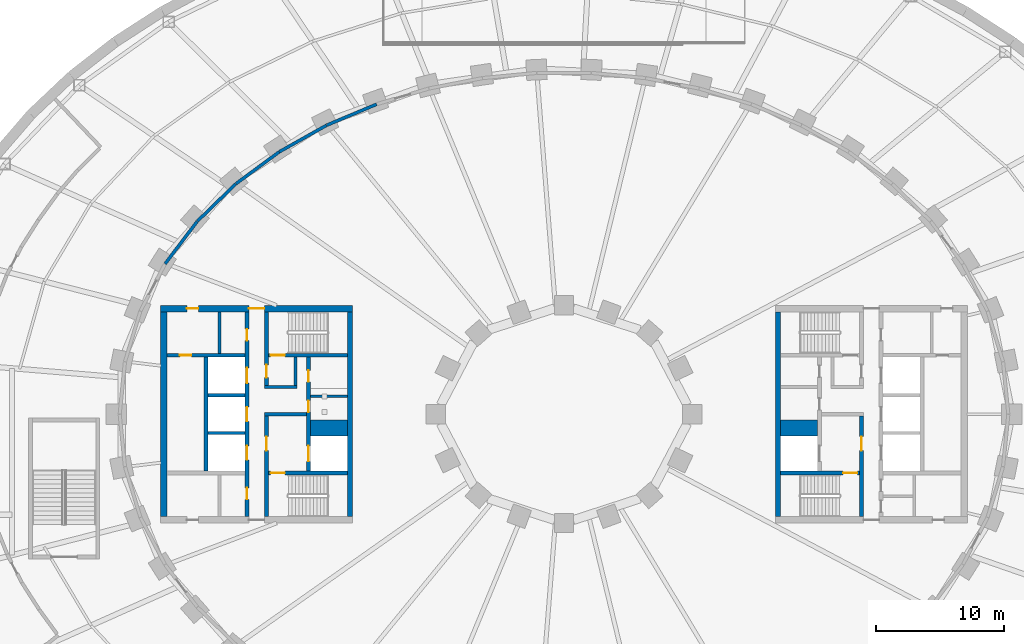
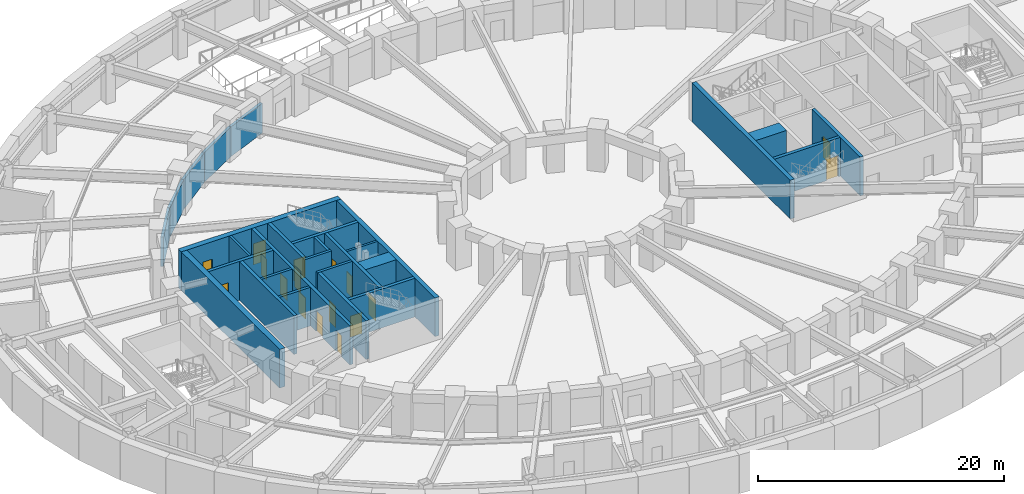
# One storey, part 19 of 32: 28 walls, 17 doors, 17 openings.
"""IFC4 building model written with IfcOpenShell, lengths in metres."""

from ifc_helpers import new_model, si_unit, direction, frame, frame_2d, origin, place, context, subcontext, project, spatial, rectangle, extrude, material, layer, layer_set, type_object, element, fill, save


model = new_model("IFC4")

# Units and contexts
model_context = context("Model", 3, precision=1e-05, world=origin(), true_north=direction((0.0, 1.0)))
body_context = subcontext(model_context, "Body", "Model", "MODEL_VIEW")
ifc_project = project(units=[si_unit("LENGTHUNIT", "METRE"), si_unit("AREAUNIT", "SQUARE_METRE"), si_unit("VOLUMEUNIT", "CUBIC_METRE"), si_unit("PLANEANGLEUNIT", "RADIAN"), si_unit("MASSUNIT", "GRAM", prefix="KILO")], contexts=[model_context])

# Site, building, storey
site_placement = place(None, origin())
site = spatial("IfcSite", under=ifc_project, at=site_placement, CompositionType="ELEMENT")
building_placement = place(site_placement, origin())
building = spatial("IfcBuilding", under=site, at=building_placement, Name="Noorbagh Ring Tower", CompositionType="ELEMENT")
storey_placement = place(building_placement, frame((0.0, 0.0, -4.199951171875)))
storey = spatial("IfcBuildingStorey", under=building, at=storey_placement, Name="B1", CompositionType="ELEMENT", Elevation=-4.199951171875)

# Walls
ifc_material_1 = material(Name="Gypsum board on steel studs", Category="steel")
ifc_layer_1 = layer(ifc_material_1, 0.199951171875)
ifc_layer_set_1 = layer_set([ifc_layer_1], Name="Gypsum board on steel studs")
wall_type_1 = type_object("IfcWallType", Name="CORE-PARTITION-200", PredefinedType="PARTITIONING", material=ifc_layer_set_1)
wall_1_placement = place(storey_placement, frame((-16.89990234375, 1.39990234375, 0.0), z_axis=(0.0, 0.0, 1.0), x_axis=(-1.0, 0.0, 0.0)))
element("IfcWall", 1, at=wall_1_placement, inside=storey, type_object=wall_type_1, Name="Core partition W", PredefinedType="PARTITIONING", context=body_context, shape_type="SweptSolid", body=[
    extrude(rectangle(XDim=2.900146484375, YDim=0.199951171875, at=frame_2d((1.4501953125, 0.0))), origin(), (0.0, 0.0, 1.0), 3.849853515625),
])
wall_2_placement = place(storey_placement, frame((-26.89990234375, 4.75, 0.0), z_axis=(0.0, 0.0, 1.0), x_axis=(0.0, 1.0, 0.0)))
element("IfcWall", 2, at=wall_2_placement, inside=storey, type_object=wall_type_1, Name="Core partition W", PredefinedType="PARTITIONING", context=body_context, shape_type="SweptSolid", body=[
    extrude(rectangle(XDim=3.25, YDim=0.199951171875, at=frame_2d((1.625, 0.0))), origin(), (0.0, 0.0, 1.0), 3.849853515625),
])
ifc_material_2 = material(Name="Concrete C70/85", Category="concrete")
ifc_layer_2 = layer(ifc_material_2, 1.25)
ifc_layer_set_2 = layer_set([ifc_layer_2], Name="Concrete C70/85")
wall_type_2 = type_object("IfcWallType", Name="CORE-WALL-1250-C70-85-EI120", PredefinedType="SHEAR", material=ifc_layer_set_2)
for number, where, z_axis, x_axis, name in (
    (3, (-16.89990234375, -1.074951171875, 0.0), (0.0, 0.0, 1.0), (-1.0, 0.0, 0.0), "Core wall W"),
    (4, (16.89990234375, -1.074951171875, 0.0), (0.0, 0.0, 1.0), (1.0, 0.0, 0.0), "Core wall E"),
):
    element("IfcWall", number, at=place(storey_placement, frame(where, z_axis=z_axis, x_axis=x_axis)), inside=storey, type_object=wall_type_2, Name=name, PredefinedType="SHEAR", context=body_context, shape_type="SweptSolid", body=[
        extrude(rectangle(XDim=2.900146484375, YDim=1.25, at=frame_2d((1.4501953125, 0.0))), origin(), (0.0, 0.0, 1.0), 3.849853515625),
    ])
ifc_material_3 = material(Name="Concrete C70/85", Category="concrete")
ifc_layer_3 = layer(ifc_material_3, 0.25)
ifc_layer_set_3 = layer_set([ifc_layer_3], Name="Concrete C70/85")
wall_type_3 = type_object("IfcWallType", Name="CORE-WALL-250-C70-85-EI120", PredefinedType="SHEAR", material=ifc_layer_set_3)
for number, where, z_axis, x_axis, name in (
    (5, (-24.89990234375, -1.47509765625, 0.0), (0.0, 0.0, 1.0), (-1.0, 0.0, 0.0), "Core wall W"),
    (6, (-24.89990234375, 1.47509765625, 0.0), (0.0, 0.0, 1.0), (-1.0, 0.0, 0.0), "Core wall W"),
):
    element("IfcWall", number, at=place(storey_placement, frame(where, z_axis=z_axis, x_axis=x_axis)), inside=storey, type_object=wall_type_3, Name=name, PredefinedType="SHEAR", context=body_context, shape_type="SweptSolid", body=[
        extrude(rectangle(XDim=2.900146484375, YDim=0.25, at=frame_2d((1.4501953125, 0.0))), origin(), (0.0, 0.0, 1.0), 3.849853515625),
    ])
ifc_material_4 = material(Name="Concrete C70/85", Category="concrete")
ifc_layer_4 = layer(ifc_material_4, 0.25)
ifc_layer_set_4 = layer_set([ifc_layer_4], Name="Concrete C70/85")
wall_type_4 = type_object("IfcWallType", Name="CORE-WALL-250-C70-85-EI240", PredefinedType="SHEAR", material=ifc_layer_set_4)
wall_3_placement = place(storey_placement, frame((-20.10009765625, 0.0, 0.0), z_axis=(0.0, 0.0, 1.0), x_axis=(-1.0, 0.0, 0.0)))
element("IfcWall", 7, at=wall_3_placement, inside=storey, type_object=wall_type_4, Name="Core wall W", PredefinedType="SHEAR", context=body_context, shape_type="SweptSolid", body=[
    extrude(rectangle(XDim=3.27978515625, YDim=0.25, at=frame_2d((1.639892578125, 0.0))), origin(), (0.0, 0.0, 1.0), 3.849853515625),
])
wall_4_placement = place(storey_placement, frame((-20.85009765625, 2.125, 0.0), z_axis=(0.0, 0.0, 1.0), x_axis=(-1.0, 0.0, 0.0)))
element("IfcWall", 8, at=wall_4_placement, inside=storey, type_object=wall_type_4, Name="Core wall W", PredefinedType="SHEAR", context=body_context, shape_type="SweptSolid", body=[
    extrude(rectangle(XDim=2.52978515625, YDim=0.25, at=frame_2d((1.264892578125, 0.0))), origin(), (0.0, 0.0, 1.0), 3.849853515625),
])
wall_5_placement = place(storey_placement, frame((-20.97509765625, 2.25, 0.0), z_axis=(0.0, 0.0, 1.0), x_axis=(0.0, 1.0, 0.0)))
element("IfcWall", 9, at=wall_5_placement, inside=storey, type_object=wall_type_4, Name="Core wall W", PredefinedType="SHEAR", context=body_context, shape_type="SweptSolid", body=[
    extrude(rectangle(XDim=2.199951171875, YDim=0.25, at=frame_2d((1.10009765625, 0.0))), origin(), (0.0, 0.0, 1.0), 3.849853515625),
])
ifc_material_5 = material(Name="Concrete C70/85", Category="concrete")
ifc_layer_5 = layer(ifc_material_5, 0.300048828125)
ifc_layer_set_5 = layer_set([ifc_layer_5], Name="Concrete C70/85")
wall_type_5 = type_object("IfcWallType", Name="CORE-WALL-300-C70-85-EI120", PredefinedType="SHEAR", material=ifc_layer_set_5)
wall_6_placement = place(storey_placement, frame((-27.949951171875, -4.449951171875, 0.0), z_axis=(0.0, 0.0, 1.0), x_axis=(0.0, 1.0, 0.0)))
element("IfcWall", 10, at=wall_6_placement, inside=storey, type_object=wall_type_5, Name="Core wall W", PredefinedType="SHEAR", context=body_context, shape_type="SweptSolid", body=[
    extrude(rectangle(XDim=8.89990234375, YDim=0.300048828125, at=frame_2d((4.449951171875, 0.0))), origin(), (0.0, 0.0, 1.0), 3.849853515625),
])

# Wall, openings, doors
wall_7_placement = place(storey_placement, frame((-19.949951171875, -4.449951171875, 0.0), z_axis=(0.0, 0.0, 1.0), x_axis=(0.0, 1.0, 0.0)))
wall_7 = element("IfcWall", 11, at=wall_7_placement, inside=storey, type_object=wall_type_5, Name="Core wall W", PredefinedType="SHEAR", context=body_context, shape_type="SweptSolid", body=[
    extrude(rectangle(XDim=8.89990234375, YDim=0.300048828125, at=frame_2d((4.449951171875, 0.0))), origin(), (0.0, 0.0, 1.0), 3.849853515625),
])
opening_1_placement = place(wall_7_placement, frame((0.77490234375, 0.0, 0.0)))
opening_1 = element("IfcOpeningElement", 12, at=opening_1_placement, cuts=wall_7, Name="Opening B1-CW01", PredefinedType="OPENING", context=body_context, shape_type="SweptSolid", body=[
    extrude(rectangle(XDim=1.199951171875, YDim=2.10009765625, at=frame_2d((0.60009765625, 1.050048828125))), frame((0.0, 0.16015625, 0.0), z_axis=(0.0, -1.0, 0.0), x_axis=(1.0, 0.0, 0.0)), (0.0, 0.0, 1.0), 0.320068359375),
])
opening_2_placement = place(wall_7_placement, frame((4.6201171875, 0.0, 0.0)))
opening_2 = element("IfcOpeningElement", 13, at=opening_2_placement, cuts=wall_7, Name="Opening B1-CW11", PredefinedType="OPENING", context=body_context, shape_type="SweptSolid", body=[
    extrude(rectangle(XDim=0.89990234375, YDim=2.10009765625, at=frame_2d((0.449951171875, 1.050048828125))), frame((0.0, 0.16015625, 0.0), z_axis=(0.0, -1.0, 0.0), x_axis=(1.0, 0.0, 0.0)), (0.0, 0.0, 1.0), 0.320068359375),
])
opening_3_placement = place(wall_7_placement, frame((6.97509765625, 0.0, 0.0)))
opening_3 = element("IfcOpeningElement", 14, at=opening_3_placement, cuts=wall_7, Name="Opening B1-CW12", PredefinedType="OPENING", context=body_context, shape_type="SweptSolid", body=[
    extrude(rectangle(XDim=0.89990234375, YDim=2.10009765625, at=frame_2d((0.449951171875, 1.050048828125))), frame((0.0, 0.16015625, 0.0), z_axis=(0.0, -1.0, 0.0), x_axis=(1.0, 0.0, 0.0)), (0.0, 0.0, 1.0), 0.320068359375),
])
ifc_material_6 = material(Name="Steel door leaf", Category="steel")
door_type_1 = type_object("IfcDoorType", Name="CORE-DOOR-DROOM", OperationType="SINGLE_SWING_LEFT", PredefinedType="DOOR", material=ifc_material_6)
door_1_placement = place(opening_2_placement, origin())
door_1 = element("IfcDoor", 15, at=door_1_placement, inside=storey, type_object=door_type_1, Name="Core room door B1-CW11", OperationType="SINGLE_SWING_RIGHT", OverallHeight=2.10009765625, OverallWidth=0.89990234375, PredefinedType="DOOR", context=body_context, shape_type="SweptSolid", body=[
    extrude(rectangle(XDim=0.89990234375, YDim=2.10009765625, at=frame_2d((0.449951171875, 1.050048828125))), frame((0.0, 0.02490234375, 0.0), z_axis=(0.0, -1.0, 0.0), x_axis=(1.0, 0.0, 0.0)), (0.0, 0.0, 1.0), 0.050048828125),
])
fill(opening_2, door_1)
door_2_placement = place(opening_3_placement, origin())
door_2 = element("IfcDoor", 16, at=door_2_placement, inside=storey, type_object=door_type_1, Name="Core room door B1-CW12", OperationType="SINGLE_SWING_LEFT", OverallHeight=2.10009765625, OverallWidth=0.89990234375, PredefinedType="DOOR", context=body_context, shape_type="SweptSolid", body=[
    extrude(rectangle(XDim=0.89990234375, YDim=2.10009765625, at=frame_2d((0.449951171875, 1.050048828125))), frame((0.0, 0.02490234375, 0.0), z_axis=(0.0, -1.0, 0.0), x_axis=(1.0, 0.0, 0.0)), (0.0, 0.0, 1.0), 0.050048828125),
])
fill(opening_3, door_2)
ifc_material_7 = material(Name="Steel door leaf", Category="steel")
door_type_2 = type_object("IfcDoorType", Name="CORE-DOOR-LDW", OperationType="DOUBLE_DOOR_SLIDING", PredefinedType="DOOR", material=ifc_material_7)
door_3_placement = place(opening_1_placement, origin())
door_3 = element("IfcDoor", 17, at=door_3_placement, inside=storey, type_object=door_type_2, Name="Landing door FF1 B1-CW01", OperationType="DOUBLE_DOOR_SLIDING", OverallHeight=2.10009765625, OverallWidth=1.199951171875, PredefinedType="DOOR", context=body_context, shape_type="SweptSolid", body=[
    extrude(rectangle(XDim=1.199951171875, YDim=2.10009765625, at=frame_2d((0.60009765625, 1.050048828125))), frame((0.0, 0.02490234375, 0.0), z_axis=(0.0, -1.0, 0.0), x_axis=(1.0, 0.0, 0.0)), (0.0, 0.0, 1.0), 0.050048828125),
])
fill(opening_1, door_3)

wall_8_placement = place(storey_placement, frame((-24.75, -8.0, 0.0), z_axis=(0.0, 0.0, 1.0), x_axis=(0.0, 1.0, 0.0)))
wall_8 = element("IfcWall", 18, at=wall_8_placement, inside=storey, type_object=wall_type_5, Name="Core wall W", PredefinedType="SHEAR", context=body_context, shape_type="SweptSolid", body=[
    extrude(rectangle(XDim=16.0, YDim=0.300048828125, at=frame_2d((8.0, 0.0))), origin(), (0.0, 0.0, 1.0), 3.849853515625),
])
opening_4_placement = place(wall_8_placement, frame((4.425048828125, 0.0, 0.0)))
opening_4 = element("IfcOpeningElement", 19, at=opening_4_placement, cuts=wall_8, Name="Opening B1-CW02", PredefinedType="OPENING", context=body_context, shape_type="SweptSolid", body=[
    extrude(rectangle(XDim=1.10009765625, YDim=2.10009765625, at=frame_2d((0.550048828125, 1.050048828125))), frame((0.0, 0.16015625, 0.0), z_axis=(0.0, -1.0, 0.0), x_axis=(1.0, 0.0, 0.0)), (0.0, 0.0, 1.0), 0.320068359375),
])
opening_5_placement = place(wall_8_placement, frame((7.449951171875, 0.0, 0.0)))
opening_5 = element("IfcOpeningElement", 20, at=opening_5_placement, cuts=wall_8, Name="Opening B1-CW03", PredefinedType="OPENING", context=body_context, shape_type="SweptSolid", body=[
    extrude(rectangle(XDim=1.10009765625, YDim=2.10009765625, at=frame_2d((0.550048828125, 1.050048828125))), frame((0.0, 0.16015625, 0.0), z_axis=(0.0, -1.0, 0.0), x_axis=(1.0, 0.0, 0.0)), (0.0, 0.0, 1.0), 0.320068359375),
])
opening_6_placement = place(wall_8_placement, frame((10.425048828125, 0.0, 0.0)))
opening_6 = element("IfcOpeningElement", 21, at=opening_6_placement, cuts=wall_8, Name="Opening B1-CW04", PredefinedType="OPENING", context=body_context, shape_type="SweptSolid", body=[
    extrude(rectangle(XDim=1.199951171875, YDim=2.10009765625, at=frame_2d((0.60009765625, 1.050048828125))), frame((0.0, 0.16015625, 0.0), z_axis=(0.0, -1.0, 0.0), x_axis=(1.0, 0.0, 0.0)), (0.0, 0.0, 1.0), 0.320068359375),
])
opening_7_placement = place(wall_8_placement, frame((13.75, 0.0, 0.0)))
opening_7 = element("IfcOpeningElement", 22, at=opening_7_placement, cuts=wall_8, Name="Opening B1-CW13", PredefinedType="OPENING", context=body_context, shape_type="SweptSolid", body=[
    extrude(rectangle(XDim=0.89990234375, YDim=2.10009765625, at=frame_2d((0.449951171875, 1.050048828125))), frame((0.0, 0.16015625, 0.0), z_axis=(0.0, -1.0, 0.0), x_axis=(1.0, 0.0, 0.0)), (0.0, 0.0, 1.0), 0.320068359375),
])
opening_8_placement = place(wall_8_placement, frame((1.35009765625, 0.0, 0.0)))
opening_8 = element("IfcOpeningElement", 23, at=opening_8_placement, cuts=wall_8, Name="Opening B1-CW15", PredefinedType="OPENING", context=body_context, shape_type="SweptSolid", body=[
    extrude(rectangle(XDim=0.89990234375, YDim=2.10009765625, at=frame_2d((0.449951171875, 1.050048828125))), frame((0.0, 0.16015625, 0.0), z_axis=(0.0, -1.0, 0.0), x_axis=(1.0, 0.0, 0.0)), (0.0, 0.0, 1.0), 0.320068359375),
])
door_4_placement = place(opening_7_placement, origin())
door_4 = element("IfcDoor", 24, at=door_4_placement, inside=storey, type_object=door_type_1, Name="Core room door B1-CW13", OperationType="SINGLE_SWING_RIGHT", OverallHeight=2.10009765625, OverallWidth=0.89990234375, PredefinedType="DOOR", context=body_context, shape_type="SweptSolid", body=[
    extrude(rectangle(XDim=0.89990234375, YDim=2.10009765625, at=frame_2d((0.449951171875, 1.050048828125))), frame((0.0, 0.02490234375, 0.0), z_axis=(0.0, -1.0, 0.0), x_axis=(1.0, 0.0, 0.0)), (0.0, 0.0, 1.0), 0.050048828125),
])
fill(opening_7, door_4)
door_5_placement = place(opening_8_placement, origin())
door_5 = element("IfcDoor", 25, at=door_5_placement, inside=storey, type_object=door_type_1, Name="Core room door B1-CW15", OperationType="SINGLE_SWING_LEFT", OverallHeight=2.10009765625, OverallWidth=0.89990234375, PredefinedType="DOOR", context=body_context, shape_type="SweptSolid", body=[
    extrude(rectangle(XDim=0.89990234375, YDim=2.10009765625, at=frame_2d((0.449951171875, 1.050048828125))), frame((0.0, 0.02490234375, 0.0), z_axis=(0.0, -1.0, 0.0), x_axis=(1.0, 0.0, 0.0)), (0.0, 0.0, 1.0), 0.050048828125),
])
fill(opening_8, door_5)
ifc_material_8 = material(Name="Steel door leaf", Category="steel")
door_type_3 = type_object("IfcDoorType", Name="CORE-DOOR-LD", OperationType="DOUBLE_DOOR_SLIDING", PredefinedType="DOOR", material=ifc_material_8)
door_6_placement = place(opening_4_placement, origin())
door_6 = element("IfcDoor", 26, at=door_6_placement, inside=storey, type_object=door_type_3, Name="Landing door LR1 B1-CW02", OperationType="DOUBLE_DOOR_SLIDING", OverallHeight=2.10009765625, OverallWidth=1.10009765625, PredefinedType="DOOR", context=body_context, shape_type="SweptSolid", body=[
    extrude(rectangle(XDim=1.10009765625, YDim=2.10009765625, at=frame_2d((0.550048828125, 1.050048828125))), frame((0.0, 0.02490234375, 0.0), z_axis=(0.0, -1.0, 0.0), x_axis=(1.0, 0.0, 0.0)), (0.0, 0.0, 1.0), 0.050048828125),
])
fill(opening_4, door_6)
door_7_placement = place(opening_5_placement, origin())
door_7 = element("IfcDoor", 27, at=door_7_placement, inside=storey, type_object=door_type_3, Name="Landing door LR2 B1-CW03", OperationType="DOUBLE_DOOR_SLIDING", OverallHeight=2.10009765625, OverallWidth=1.10009765625, PredefinedType="DOOR", context=body_context, shape_type="SweptSolid", body=[
    extrude(rectangle(XDim=1.10009765625, YDim=2.10009765625, at=frame_2d((0.550048828125, 1.050048828125))), frame((0.0, 0.02490234375, 0.0), z_axis=(0.0, -1.0, 0.0), x_axis=(1.0, 0.0, 0.0)), (0.0, 0.0, 1.0), 0.050048828125),
])
fill(opening_5, door_7)
door_8_placement = place(opening_6_placement, origin())
door_8 = element("IfcDoor", 28, at=door_8_placement, inside=storey, type_object=door_type_2, Name="Landing door SV1 B1-CW04", OperationType="DOUBLE_DOOR_SLIDING", OverallHeight=2.10009765625, OverallWidth=1.199951171875, PredefinedType="DOOR", context=body_context, shape_type="SweptSolid", body=[
    extrude(rectangle(XDim=1.199951171875, YDim=2.10009765625, at=frame_2d((0.60009765625, 1.050048828125))), frame((0.0, 0.02490234375, 0.0), z_axis=(0.0, -1.0, 0.0), x_axis=(1.0, 0.0, 0.0)), (0.0, 0.0, 1.0), 0.050048828125),
])
fill(opening_6, door_8)

# Wall, opening, door
ifc_material_9 = material(Name="Concrete C70/85", Category="concrete")
ifc_layer_6 = layer(ifc_material_9, 0.300048828125)
ifc_layer_set_6 = layer_set([ifc_layer_6], Name="Concrete C70/85")
wall_type_6 = type_object("IfcWallType", Name="CORE-WALL-300-C70-85-EI240", PredefinedType="SHEAR", material=ifc_layer_set_6)
wall_9_placement = place(storey_placement, frame((-24.89990234375, 4.60009765625, 0.0), z_axis=(0.0, 0.0, 1.0), x_axis=(-1.0, 0.0, 0.0)))
wall_9 = element("IfcWall", 29, at=wall_9_placement, inside=storey, type_object=wall_type_6, Name="Core wall W", PredefinedType="SHEAR", context=body_context, shape_type="SweptSolid", body=[
    extrude(rectangle(XDim=6.10009765625, YDim=0.300048828125, at=frame_2d((3.050048828125, 0.0))), origin(), (0.0, 0.0, 1.0), 3.849853515625),
])
opening_9_placement = place(wall_9_placement, frame((4.199951171875, 0.0, 0.0)))
opening_9 = element("IfcOpeningElement", 30, at=opening_9_placement, cuts=wall_9, Name="Opening B1-CW17", PredefinedType="OPENING", context=body_context, shape_type="SweptSolid", body=[
    extrude(rectangle(XDim=0.89990234375, YDim=2.10009765625, at=frame_2d((0.449951171875, 1.050048828125))), frame((0.0, 0.16015625, 0.0), z_axis=(0.0, -1.0, 0.0), x_axis=(1.0, 0.0, 0.0)), (0.0, 0.0, 1.0), 0.320068359375),
])
door_9_placement = place(opening_9_placement, origin())
door_9 = element("IfcDoor", 31, at=door_9_placement, inside=storey, type_object=door_type_1, Name="Core room door B1-CW17", OperationType="SINGLE_SWING_LEFT", OverallHeight=2.10009765625, OverallWidth=0.89990234375, PredefinedType="DOOR", context=body_context, shape_type="SweptSolid", body=[
    extrude(rectangle(XDim=0.89990234375, YDim=2.10009765625, at=frame_2d((0.449951171875, 1.050048828125))), frame((0.0, 0.02490234375, 0.0), z_axis=(0.0, -1.0, 0.0), x_axis=(1.0, 0.0, 0.0)), (0.0, 0.0, 1.0), 0.050048828125),
])
fill(opening_9, door_9)

wall_10_placement = place(storey_placement, frame((-23.22998046875, 2.25, 0.0), z_axis=(0.0, 0.0, 1.0), x_axis=(0.0, 1.0, 0.0)))
wall_10 = element("IfcWall", 32, at=wall_10_placement, inside=storey, type_object=wall_type_6, Name="Core wall W", PredefinedType="SHEAR", context=body_context, shape_type="SweptSolid", body=[
    extrude(rectangle(XDim=5.75, YDim=0.300048828125, at=frame_2d((2.875, 0.0))), origin(), (0.0, 0.0, 1.0), 3.849853515625),
])
opening_10_placement = place(wall_10_placement, frame((0.60009765625, 0.0, 0.0)))
opening_10 = element("IfcOpeningElement", 33, at=opening_10_placement, cuts=wall_10, Name="Opening B1-CW08", PredefinedType="OPENING", context=body_context, shape_type="SweptSolid", body=[
    extrude(rectangle(XDim=1.0, YDim=2.10009765625, at=frame_2d((0.5, 1.050048828125))), frame((0.0, 0.16015625, 0.0), z_axis=(0.0, -1.0, 0.0), x_axis=(1.0, 0.0, 0.0)), (0.0, 0.0, 1.0), 0.320068359375),
])
ifc_material_10 = material(Name="Steel door leaf", Category="steel")
door_type_4 = type_object("IfcDoorType", Name="CORE-DOOR-DVEST", OperationType="SINGLE_SWING_LEFT", PredefinedType="DOOR", material=ifc_material_10)
door_10_placement = place(opening_10_placement, origin())
door_10 = element("IfcDoor", 34, at=door_10_placement, inside=storey, type_object=door_type_4, Name="Stair vestibule door B1-CW08", OperationType="SINGLE_SWING_LEFT", OverallHeight=2.10009765625, OverallWidth=1.0, PredefinedType="DOOR", context=body_context, shape_type="SweptSolid", body=[
    extrude(rectangle(XDim=1.0, YDim=2.10009765625, at=frame_2d((0.5, 1.050048828125))), frame((0.0, 0.02490234375, 0.0), z_axis=(0.0, -1.0, 0.0), x_axis=(1.0, 0.0, 0.0)), (0.0, 0.0, 1.0), 0.050048828125),
])
fill(opening_10, door_10)

wall_11_placement = place(storey_placement, frame((-23.22998046875, -8.0, 0.0), z_axis=(0.0, 0.0, 1.0), x_axis=(0.0, 1.0, 0.0)))
wall_11 = element("IfcWall", 35, at=wall_11_placement, inside=storey, type_object=wall_type_6, Name="Core wall W", PredefinedType="SHEAR", context=body_context, shape_type="SweptSolid", body=[
    extrude(rectangle(XDim=7.875, YDim=0.300048828125, at=frame_2d((3.9375, 0.0))), origin(), (0.0, 0.0, 1.0), 3.849853515625),
])
opening_11_placement = place(wall_11_placement, frame((5.14990234375, 0.0, 0.0)))
opening_11 = element("IfcOpeningElement", 36, at=opening_11_placement, cuts=wall_11, Name="Opening B1-CW07", PredefinedType="OPENING", context=body_context, shape_type="SweptSolid", body=[
    extrude(rectangle(XDim=1.10009765625, YDim=2.10009765625, at=frame_2d((0.550048828125, 1.050048828125))), frame((0.0, 0.16015625, 0.0), z_axis=(0.0, -1.0, 0.0), x_axis=(1.0, 0.0, 0.0)), (0.0, 0.0, 1.0), 0.320068359375),
])
ifc_material_11 = material(Name="Steel door leaf", Category="steel")
door_type_5 = type_object("IfcDoorType", Name="CORE-DOOR-DFF", OperationType="SINGLE_SWING_LEFT", PredefinedType="DOOR", material=ifc_material_11)
door_11_placement = place(opening_11_placement, origin())
door_11 = element("IfcDoor", 37, at=door_11_placement, inside=storey, type_object=door_type_5, Name="Firefighting lobby door B1-CW07", OperationType="SINGLE_SWING_LEFT", OverallHeight=2.10009765625, OverallWidth=1.10009765625, PredefinedType="DOOR", context=body_context, shape_type="SweptSolid", body=[
    extrude(rectangle(XDim=1.10009765625, YDim=2.10009765625, at=frame_2d((0.550048828125, 1.050048828125))), frame((0.0, 0.02490234375, 0.0), z_axis=(0.0, -1.0, 0.0), x_axis=(1.0, 0.0, 0.0)), (0.0, 0.0, 1.0), 0.050048828125),
])
fill(opening_11, door_11)

wall_12_placement = place(storey_placement, frame((-16.89990234375, 4.60009765625, 0.0), z_axis=(0.0, 0.0, 1.0), x_axis=(-1.0, 0.0, 0.0)))
wall_12 = element("IfcWall", 38, at=wall_12_placement, inside=storey, type_object=wall_type_6, Name="Core wall W", PredefinedType="SHEAR", context=body_context, shape_type="SweptSolid", body=[
    extrude(rectangle(XDim=6.18017578125, YDim=0.300048828125, at=frame_2d((3.090087890625, 0.0))), origin(), (0.0, 0.0, 1.0), 3.849853515625),
])
opening_12_placement = place(wall_12_placement, frame((4.89990234375, 0.0, 0.0)))
opening_12 = element("IfcOpeningElement", 39, at=opening_12_placement, cuts=wall_12, Name="Opening B1-CW05", PredefinedType="OPENING", context=body_context, shape_type="SweptSolid", body=[
    extrude(rectangle(XDim=1.10009765625, YDim=2.10009765625, at=frame_2d((0.550048828125, 1.050048828125))), frame((0.0, 0.16015625, 0.0), z_axis=(0.0, -1.0, 0.0), x_axis=(1.0, 0.0, 0.0)), (0.0, 0.0, 1.0), 0.320068359375),
])
ifc_material_12 = material(Name="Steel door leaf", Category="steel")
door_type_6 = type_object("IfcDoorType", Name="CORE-DOOR-DSTAIR", OperationType="SINGLE_SWING_LEFT", PredefinedType="DOOR", material=ifc_material_12)
door_12_placement = place(opening_12_placement, origin())
door_12 = element("IfcDoor", 40, at=door_12_placement, inside=storey, type_object=door_type_6, Name="Stair door ST1 B1-CW05", OperationType="SINGLE_SWING_RIGHT", OverallHeight=2.10009765625, OverallWidth=1.10009765625, PredefinedType="DOOR", context=body_context, shape_type="SweptSolid", body=[
    extrude(rectangle(XDim=1.10009765625, YDim=2.10009765625, at=frame_2d((0.550048828125, 1.050048828125))), frame((0.0, 0.02490234375, 0.0), z_axis=(0.0, -1.0, 0.0), x_axis=(1.0, 0.0, 0.0)), (0.0, 0.0, 1.0), 0.050048828125),
])
fill(opening_12, door_12)

wall_13_placement = place(storey_placement, frame((-16.89990234375, -4.60009765625, 0.0), z_axis=(0.0, 0.0, 1.0), x_axis=(-1.0, 0.0, 0.0)))
wall_13 = element("IfcWall", 41, at=wall_13_placement, inside=storey, type_object=wall_type_6, Name="Core wall W", PredefinedType="SHEAR", context=body_context, shape_type="SweptSolid", body=[
    extrude(rectangle(XDim=6.18017578125, YDim=0.300048828125, at=frame_2d((3.090087890625, 0.0))), origin(), (0.0, 0.0, 1.0), 3.849853515625),
])
opening_13_placement = place(wall_13_placement, frame((4.89990234375, 0.0, 0.0)))
opening_13 = element("IfcOpeningElement", 42, at=opening_13_placement, cuts=wall_13, Name="Opening B1-CW06", PredefinedType="OPENING", context=body_context, shape_type="SweptSolid", body=[
    extrude(rectangle(XDim=1.10009765625, YDim=2.10009765625, at=frame_2d((0.550048828125, 1.050048828125))), frame((0.0, 0.16015625, 0.0), z_axis=(0.0, -1.0, 0.0), x_axis=(1.0, 0.0, 0.0)), (0.0, 0.0, 1.0), 0.320068359375),
])
door_13_placement = place(opening_13_placement, origin())
door_13 = element("IfcDoor", 43, at=door_13_placement, inside=storey, type_object=door_type_6, Name="Stair door ST2 B1-CW06", OperationType="SINGLE_SWING_LEFT", OverallHeight=2.10009765625, OverallWidth=1.10009765625, PredefinedType="DOOR", context=body_context, shape_type="SweptSolid", body=[
    extrude(rectangle(XDim=1.10009765625, YDim=2.10009765625, at=frame_2d((0.550048828125, 1.050048828125))), frame((0.0, 0.02490234375, 0.0), z_axis=(0.0, -1.0, 0.0), x_axis=(1.0, 0.0, 0.0)), (0.0, 0.0, 1.0), 0.050048828125),
])
fill(opening_13, door_13)

wall_14_placement = place(storey_placement, frame((23.22998046875, -8.0, 0.0), z_axis=(0.0, 0.0, 1.0), x_axis=(0.0, 1.0, 0.0)))
wall_14 = element("IfcWall", 44, at=wall_14_placement, inside=storey, type_object=wall_type_6, Name="Core wall E", PredefinedType="SHEAR", context=body_context, shape_type="SweptSolid", body=[
    extrude(rectangle(XDim=7.875, YDim=0.300048828125, at=frame_2d((3.9375, 0.0))), origin(), (0.0, 0.0, 1.0), 3.849853515625),
])
opening_14_placement = place(wall_14_placement, frame((5.14990234375, 0.0, 0.0)))
opening_14 = element("IfcOpeningElement", 45, at=opening_14_placement, cuts=wall_14, Name="Opening B1-CE07", PredefinedType="OPENING", context=body_context, shape_type="SweptSolid", body=[
    extrude(rectangle(XDim=1.10009765625, YDim=2.10009765625, at=frame_2d((0.550048828125, 1.050048828125))), frame((0.0, 0.16015625, 0.0), z_axis=(0.0, -1.0, 0.0), x_axis=(1.0, 0.0, 0.0)), (0.0, 0.0, 1.0), 0.320068359375),
])
door_14_placement = place(opening_14_placement, origin())
door_14 = element("IfcDoor", 46, at=door_14_placement, inside=storey, type_object=door_type_5, Name="Firefighting lobby door B1-CE07", OperationType="SINGLE_SWING_RIGHT", OverallHeight=2.10009765625, OverallWidth=1.10009765625, PredefinedType="DOOR", context=body_context, shape_type="SweptSolid", body=[
    extrude(rectangle(XDim=1.10009765625, YDim=2.10009765625, at=frame_2d((0.550048828125, 1.050048828125))), frame((0.0, 0.02490234375, 0.0), z_axis=(0.0, -1.0, 0.0), x_axis=(1.0, 0.0, 0.0)), (0.0, 0.0, 1.0), 0.050048828125),
])
fill(opening_14, door_14)

wall_15_placement = place(storey_placement, frame((16.89990234375, -4.60009765625, 0.0), z_axis=(0.0, 0.0, 1.0), x_axis=(1.0, 0.0, 0.0)))
wall_15 = element("IfcWall", 47, at=wall_15_placement, inside=storey, type_object=wall_type_6, Name="Core wall E", PredefinedType="SHEAR", context=body_context, shape_type="SweptSolid", body=[
    extrude(rectangle(XDim=6.18017578125, YDim=0.300048828125, at=frame_2d((3.090087890625, 0.0))), origin(), (0.0, 0.0, 1.0), 3.849853515625),
])
opening_15_placement = place(wall_15_placement, frame((4.89990234375, 0.0, 0.0)))
opening_15 = element("IfcOpeningElement", 48, at=opening_15_placement, cuts=wall_15, Name="Opening B1-CE06", PredefinedType="OPENING", context=body_context, shape_type="SweptSolid", body=[
    extrude(rectangle(XDim=1.10009765625, YDim=2.10009765625, at=frame_2d((0.550048828125, 1.050048828125))), frame((0.0, 0.16015625, 0.0), z_axis=(0.0, -1.0, 0.0), x_axis=(1.0, 0.0, 0.0)), (0.0, 0.0, 1.0), 0.320068359375),
])
door_15_placement = place(opening_15_placement, origin())
door_15 = element("IfcDoor", 49, at=door_15_placement, inside=storey, type_object=door_type_6, Name="Stair door ST4 B1-CE06", OperationType="SINGLE_SWING_RIGHT", OverallHeight=2.10009765625, OverallWidth=1.10009765625, PredefinedType="DOOR", context=body_context, shape_type="SweptSolid", body=[
    extrude(rectangle(XDim=1.10009765625, YDim=2.10009765625, at=frame_2d((0.550048828125, 1.050048828125))), frame((0.0, 0.02490234375, 0.0), z_axis=(0.0, -1.0, 0.0), x_axis=(1.0, 0.0, 0.0)), (0.0, 0.0, 1.0), 0.050048828125),
])
fill(opening_15, door_15)

# Walls
ifc_material_13 = material(Name="Concrete C70/85", Category="concrete")
ifc_layer_7 = layer(ifc_material_13, 0.39990234375)
ifc_layer_set_7 = layer_set([ifc_layer_7], Name="Concrete C70/85")
wall_type_7 = type_object("IfcWallType", Name="CORE-WALL-400-C70-85-EI240", PredefinedType="SHEAR", material=ifc_layer_set_7)
for number, where, z_axis, x_axis, name in (
    (50, (-16.699951171875, -8.0, 0.0), (0.0, 0.0, 1.0), (0.0, 1.0, 0.0), "Core wall W"),
    (51, (16.699951171875, -8.0, 0.0), (0.0, 0.0, 1.0), (0.0, 1.0, 0.0), "Core wall E"),
):
    element("IfcWall", number, at=place(storey_placement, frame(where, z_axis=z_axis, x_axis=x_axis)), inside=storey, type_object=wall_type_7, Name=name, PredefinedType="SHEAR", context=body_context, shape_type="SweptSolid", body=[
        extrude(rectangle(XDim=16.0, YDim=0.39990234375, at=frame_2d((8.0, 0.0))), origin(), (0.0, 0.0, 1.0), 3.849853515625),
    ])

# Wall, openings, doors
ifc_material_14 = material(Name="Concrete C70/85", Category="concrete")
ifc_layer_8 = layer(ifc_material_14, 0.5)
ifc_layer_set_8 = layer_set([ifc_layer_8], Name="Concrete C70/85")
wall_type_8 = type_object("IfcWallType", Name="CORE-WALL-500-C70-85-EI240", PredefinedType="SHEAR", material=ifc_layer_set_8)
wall_16_placement = place(storey_placement, frame((-16.5, 8.25, 0.0), z_axis=(0.0, 0.0, 1.0), x_axis=(-1.0, 0.0, 0.0)))
wall_16 = element("IfcWall", 52, at=wall_16_placement, inside=storey, type_object=wall_type_8, Name="Core wall W", PredefinedType="SHEAR", context=body_context, shape_type="SweptSolid", body=[
    extrude(rectangle(XDim=15.0, YDim=0.5, at=frame_2d((7.5, 0.0))), origin(), (0.0, 0.0, 1.0), 3.849853515625),
])
opening_16_placement = place(wall_16_placement, frame((6.89990234375, 0.0, 0.0)))
opening_16 = element("IfcOpeningElement", 53, at=opening_16_placement, cuts=wall_16, Name="Opening B1-CW09", PredefinedType="OPENING", context=body_context, shape_type="SweptSolid", body=[
    extrude(rectangle(XDim=1.199951171875, YDim=2.10009765625, at=frame_2d((0.60009765625, 1.050048828125))), frame((0.0, 0.260009765625, 0.0), z_axis=(0.0, -1.0, 0.0), x_axis=(1.0, 0.0, 0.0)), (0.0, 0.0, 1.0), 0.52001953125),
])
opening_17_placement = place(wall_16_placement, frame((12.050048828125, 0.0, 0.0)))
opening_17 = element("IfcOpeningElement", 54, at=opening_17_placement, cuts=wall_16, Name="Opening B1-CW14", PredefinedType="OPENING", context=body_context, shape_type="SweptSolid", body=[
    extrude(rectangle(XDim=0.89990234375, YDim=2.10009765625, at=frame_2d((0.449951171875, 1.050048828125))), frame((0.0, 0.260009765625, 0.0), z_axis=(0.0, -1.0, 0.0), x_axis=(1.0, 0.0, 0.0)), (0.0, 0.0, 1.0), 0.52001953125),
])
door_16_placement = place(opening_17_placement, origin())
door_16 = element("IfcDoor", 55, at=door_16_placement, inside=storey, type_object=door_type_1, Name="Core room door B1-CW14", OperationType="SINGLE_SWING_RIGHT", OverallHeight=2.10009765625, OverallWidth=0.89990234375, PredefinedType="DOOR", context=body_context, shape_type="SweptSolid", body=[
    extrude(rectangle(XDim=0.89990234375, YDim=2.10009765625, at=frame_2d((0.449951171875, 1.050048828125))), frame((0.0, 0.02490234375, 0.0), z_axis=(0.0, -1.0, 0.0), x_axis=(1.0, 0.0, 0.0)), (0.0, 0.0, 1.0), 0.050048828125),
])
fill(opening_17, door_16)
ifc_material_15 = material(Name="Steel door leaf", Category="steel")
door_type_7 = type_object("IfcDoorType", Name="CORE-DOOR-PORT", OperationType="DOUBLE_DOOR_DOUBLE_SWING", PredefinedType="DOOR", material=ifc_material_15)
door_17_placement = place(opening_16_placement, origin())
door_17 = element("IfcDoor", 56, at=door_17_placement, inside=storey, type_object=door_type_7, Name="Core entrance door B1-CW09", OperationType="DOUBLE_DOOR_DOUBLE_SWING", OverallHeight=2.10009765625, OverallWidth=1.199951171875, PredefinedType="DOOR", context=body_context, shape_type="SweptSolid", body=[
    extrude(rectangle(XDim=1.199951171875, YDim=2.10009765625, at=frame_2d((0.60009765625, 1.050048828125))), frame((0.0, 0.02490234375, 0.0), z_axis=(0.0, -1.0, 0.0), x_axis=(1.0, 0.0, 0.0)), (0.0, 0.0, 1.0), 0.050048828125),
])
fill(opening_16, door_17)

# Walls
wall_17_placement = place(storey_placement, frame((-31.25, -8.0, 0.0), z_axis=(0.0, 0.0, 1.0), x_axis=(0.0, 1.0, 0.0)))
element("IfcWall", 57, at=wall_17_placement, inside=storey, type_object=wall_type_8, Name="Core wall W", PredefinedType="SHEAR", context=body_context, shape_type="SweptSolid", body=[
    extrude(rectangle(XDim=16.0, YDim=0.5, at=frame_2d((8.0, 0.0))), origin(), (0.0, 0.0, 1.0), 3.849853515625),
])
ifc_material_16 = material(Name="Concrete C40/50", Category="concrete")
ifc_layer_9 = layer(ifc_material_16, 0.25)
ifc_layer_set_9 = layer_set([ifc_layer_9], Name="Concrete C40/50")
wall_type_9 = type_object("IfcWallType", Name="GND-WALL-RING", PredefinedType="SOLIDWALL", material=ifc_layer_set_9)
wall_18_placement = place(storey_placement, frame((-14.633056640625, 24.201904296875, 0.0), z_axis=(0.0, 0.0, 1.0), x_axis=(-0.921810386469, -0.387641085798, 0.0)))
element("IfcWall", 58, at=wall_18_placement, inside=storey, type_object=wall_type_9, Name="Tower basement fire wall", PredefinedType="SOLIDWALL", context=body_context, shape_type="SweptSolid", body=[
    extrude(rectangle(XDim=4.225341796875, YDim=0.25, at=frame_2d((2.11279296875, 0.0))), origin(), (0.0, 0.0, 1.0), 2.949951171875),
])
wall_19_placement = place(storey_placement, frame((-18.544189453125, 22.555908203125, 0.0), z_axis=(0.0, 0.0, 1.0), x_axis=(-0.872061015455, -0.489397165218, 0.0)))
element("IfcWall", 59, at=wall_19_placement, inside=storey, type_object=wall_type_9, Name="Tower basement fire wall", PredefinedType="SOLIDWALL", context=body_context, shape_type="SweptSolid", body=[
    extrude(rectangle(XDim=4.21337890625, YDim=0.25, at=frame_2d((2.106689453125, 0.0))), origin(), (0.0, 0.0, 1.0), 2.949951171875),
])
wall_20_placement = place(storey_placement, frame((-22.2333984375, 20.484130859375, 0.0), z_axis=(0.0, 0.0, 1.0), x_axis=(-0.805155221937, -0.593064135306, 0.0)))
element("IfcWall", 60, at=wall_20_placement, inside=storey, type_object=wall_type_9, Name="Tower basement fire wall", PredefinedType="SOLIDWALL", context=body_context, shape_type="SweptSolid", body=[
    extrude(rectangle(XDim=4.197998046875, YDim=0.25, at=frame_2d((2.09912109375, 0.0))), origin(), (0.0, 0.0, 1.0), 2.949951171875),
])
wall_21_placement = place(storey_placement, frame((-25.627197265625, 17.98291015625, 0.0), z_axis=(0.0, 0.0, 1.0), x_axis=(-0.717227656803, -0.696838925661, 0.0)))
element("IfcWall", 61, at=wall_21_placement, inside=storey, type_object=wall_type_9, Name="Tower basement fire wall", PredefinedType="SOLIDWALL", context=body_context, shape_type="SweptSolid", body=[
    extrude(rectangle(XDim=4.178955078125, YDim=0.25, at=frame_2d((2.08935546875, 0.0))), origin(), (0.0, 0.0, 1.0), 2.949951171875),
])
wall_22_placement = place(storey_placement, frame((-28.636474609375, 15.05712890625, 0.0), z_axis=(0.0, 0.0, 1.0), x_axis=(-0.604041965907, -0.796952510143, 0.0)))
element("IfcWall", 62, at=wall_22_placement, inside=storey, type_object=wall_type_9, Name="Tower basement fire wall", PredefinedType="SOLIDWALL", context=body_context, shape_type="SweptSolid", body=[
    extrude(rectangle(XDim=4.157470703125, YDim=0.25, at=frame_2d((2.07861328125, 0.0))), origin(), (0.0, 0.0, 1.0), 2.949951171875),
])

save(model, "model.ifc")
